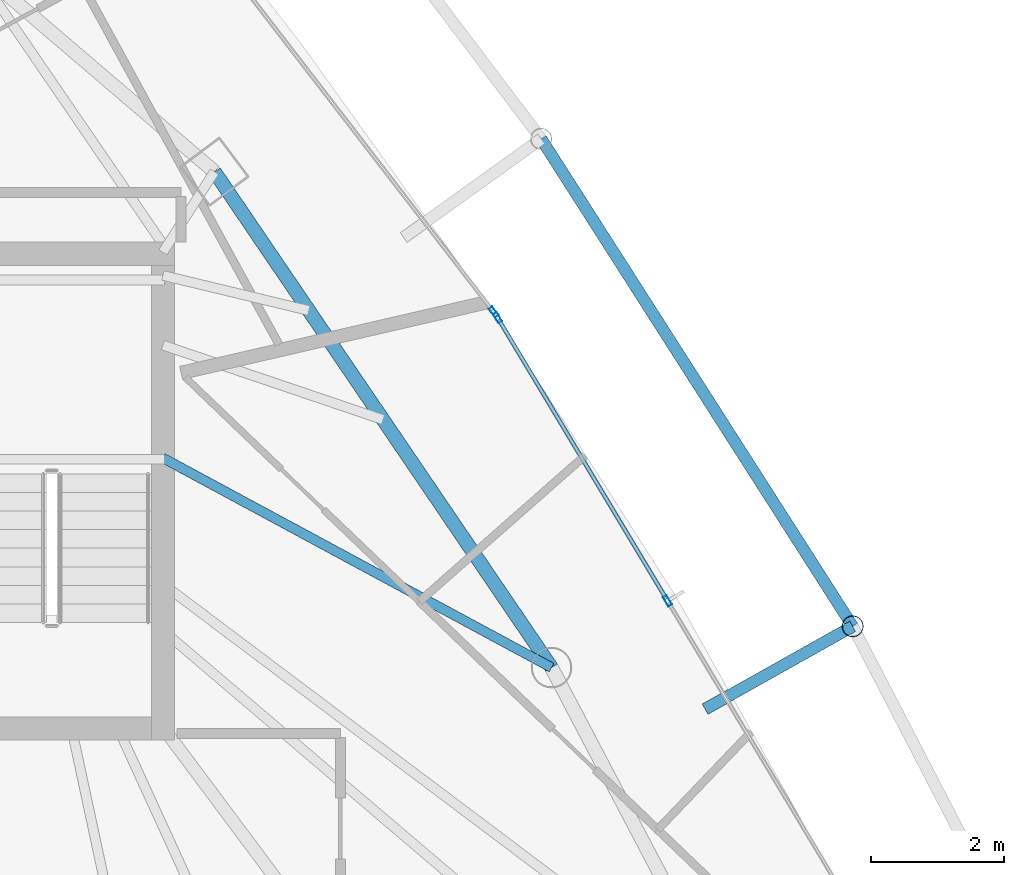
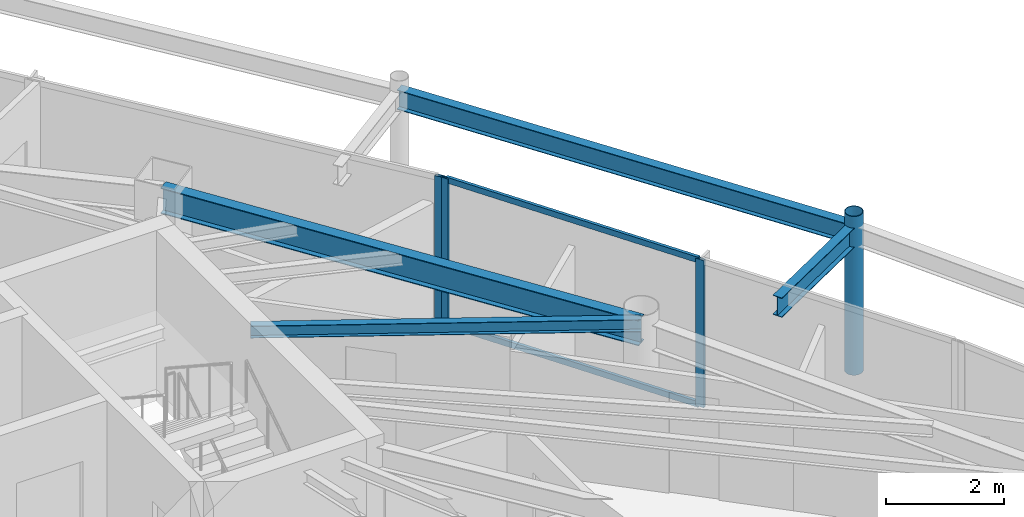
# One storey, part 20 of 32: 6 members, 4 beams, 2 elements without a shape of their own.
"""IFC4 building model written with IfcOpenShell, lengths in metres."""

from ifc_helpers import new_model, si_unit, direction, frame, origin, origin_2d, place, context, subcontext, project, spatial, hollow_rectangle, hollow_circle, i_section, extrude, material, layer, layer_set, material_profile, profile_set, type_object, element, aggregate, save


model = new_model("IFC4")

# Units and contexts
model_context = context("Model", 3, precision=1e-05, world=origin(), true_north=direction((0.0, 1.0)))
body_context = subcontext(model_context, "Body", "Model", "MODEL_VIEW")
ifc_project = project(units=[si_unit("LENGTHUNIT", "METRE"), si_unit("AREAUNIT", "SQUARE_METRE"), si_unit("VOLUMEUNIT", "CUBIC_METRE"), si_unit("PLANEANGLEUNIT", "RADIAN"), si_unit("MASSUNIT", "GRAM", prefix="KILO")], contexts=[model_context])

# Site, building, storey
site_placement = place(None, origin())
site = spatial("IfcSite", under=ifc_project, at=site_placement, CompositionType="ELEMENT")
building_placement = place(site_placement, origin())
building = spatial("IfcBuilding", under=site, at=building_placement, Name="Orvanel Arch Residences", CompositionType="ELEMENT")
storey_placement = place(building_placement, frame((0.0, 0.0, 216.199951171875)))
storey = spatial("IfcBuildingStorey", under=building, at=storey_placement, Name="L61", CompositionType="ELEMENT", Elevation=216.199951171875)

# Beam
ifc_material_1 = material(Name="Structural steel AS/NZS 3679.1 Grade 300 (300 MPa)", Category="steel")
ifc_material_profile_1 = material_profile(ifc_material_1, i_section(OverallWidth=0.14599609375, OverallDepth=0.251953125, WebThickness=0.006103515625, FlangeThickness=0.008544921875, at=origin_2d()), Name="250UB31.4")
ifc_profile_set_1 = profile_set([ifc_material_profile_1], Name="Structural steel AS/NZS 3679.1 Grade 300 (300 MPa)")
beam_type_1 = type_object("IfcBeamType", Name="BJ-250UB", PredefinedType="JOIST", material=ifc_profile_set_1)
beam_1_placement = place(storey_placement, frame((39.574951171875, 30.800048828125, 2.93408203125), z_axis=(0.880111494021, -0.474767056664, 0.0), x_axis=(0.474767056664, 0.880111494021, 0.0)))
element("IfcBeam", 1, at=beam_1_placement, inside=storey, type_object=beam_type_1, Name="L61 NE Wing Floor Joist", PredefinedType="JOIST", context=body_context, shape_type="SweptSolid", body=[
    extrude(i_section(OverallWidth=0.14599609375, OverallDepth=0.251953125, WebThickness=0.006103515625, FlangeThickness=0.008544921875, at=origin_2d()), origin(), (0.0, 0.0, 1.0), 6.653564453125),
])

# Curtain wall, members
ifc_material_2 = material(Name="Bronze-anodised aluminium AA6063-T6", Category="aluminium")
ifc_layer = layer(ifc_material_2, 0.175048828125)
ifc_layer_set = layer_set([ifc_layer], Name="Bronze-anodised aluminium AA6063-T6")
curtain_wall_type = type_object("IfcCurtainWallType", Name="CW4-HI-SYS", PredefinedType="NOTDEFINED", material=ifc_layer_set)
curtain_wall_1_placement = place(storey_placement, origin())
curtain_wall_1 = element("IfcCurtainWall", 2, at=curtain_wall_1_placement, inside=storey, type_object=curtain_wall_type, Name="L61 CW4-HI-SYS Unitised Curtain Wall", PredefinedType="NOTDEFINED")
ifc_material_profile_2 = material_profile(ifc_material_2, hollow_rectangle(XDim=0.06494140625, YDim=0.159912109375, WallThickness=0.00390625, at=origin_2d()), Name="ALU160x65x4")
ifc_profile_set_2 = profile_set([ifc_material_profile_2], Name="Bronze-anodised aluminium AA6063-T6")
member_type_1 = type_object("IfcMemberType", Name="MUL-160x65", PredefinedType="MULLION", material=ifc_profile_set_2)
member_1_placement = place(storey_placement, frame((47.178466796875, 28.64599609375, 0.0), z_axis=(0.0, 0.0, 1.0), x_axis=(-0.857536965081, -0.514422349359, 0.0)))
member_1 = element("IfcMember", 3, at=member_1_placement, type_object=member_type_1, Name="CW-S4 mullion 2", PredefinedType="MULLION", context=body_context, shape_type="SweptSolid", body=[
    extrude(hollow_rectangle(XDim=0.06494140625, YDim=0.159912109375, WallThickness=0.00390625, at=origin_2d()), origin(), (0.0, 0.0, 1.0), 3.06005859375),
])
member_2_placement = place(storey_placement, frame((44.61865234375, 32.9130859375, 0.0), z_axis=(0.0, 0.0, 1.0), x_axis=(-0.857536965081, -0.514422349359, 0.0)))
member_2 = element("IfcMember", 4, at=member_2_placement, type_object=member_type_1, Name="CW-S4 mullion 3", PredefinedType="MULLION", context=body_context, shape_type="SweptSolid", body=[
    extrude(hollow_rectangle(XDim=0.06494140625, YDim=0.159912109375, WallThickness=0.00390625, at=origin_2d()), origin(), (0.0, 0.0, 1.0), 3.06005859375),
])

# Curtain wall, member
curtain_wall_2_placement = place(storey_placement, origin())
curtain_wall_2 = element("IfcCurtainWall", 5, at=curtain_wall_2_placement, inside=storey, type_object=curtain_wall_type, Name="L61 CW4-HI-SYS Unitised Curtain Wall", PredefinedType="NOTDEFINED")
member_3_placement = place(storey_placement, frame((44.56005859375, 32.999755859375, 0.0), z_axis=(0.0, 0.0, 1.0), x_axis=(-0.791975613177, -0.610552723467, 0.0)))
member_3 = element("IfcMember", 6, at=member_3_placement, type_object=member_type_1, Name="CW-S4 mullion 1", PredefinedType="MULLION", context=body_context, shape_type="SweptSolid", body=[
    extrude(hollow_rectangle(XDim=0.06494140625, YDim=0.159912109375, WallThickness=0.00390625, at=origin_2d()), origin(), (0.0, 0.0, 1.0), 3.06005859375),
])
aggregate(curtain_wall_2, [member_3])

# Beams
ifc_material_profile_3 = material_profile(ifc_material_1, i_section(OverallWidth=0.177978515625, OverallDepth=0.406005859375, WebThickness=0.0078125, FlangeThickness=0.0126953125, at=origin_2d()), Name="410UB59.7")
ifc_profile_set_3 = profile_set([ifc_material_profile_3], Name="Structural steel AS/NZS 3679.1 Grade 300 (300 MPa)")
beam_type_2 = type_object("IfcBeamType", Name="OB-410UB-EXT", PredefinedType="SPANDREL", material=ifc_profile_set_3)
beam_2_placement = place(storey_placement, frame((47.743896484375, 27.014892578125, 2.85693359375), z_axis=(0.872081265837, 0.489361079139, 0.0), x_axis=(-0.489361079139, 0.872081265837, 0.0)))
element("IfcBeam", 7, at=beam_2_placement, inside=storey, type_object=beam_type_2, Name="L61 Outer Frame Radial Tie Beam 10", PredefinedType="SPANDREL", context=body_context, shape_type="SweptSolid", body=[
    extrude(i_section(OverallWidth=0.177978515625, OverallDepth=0.406005859375, WebThickness=0.0078125, FlangeThickness=0.0126953125, at=origin_2d()), origin(), (0.0, 0.0, 1.0), 2.55029296875),
])
beam_3_placement = place(storey_placement, frame((49.968017578125, 28.262939453125, 2.85693359375), z_axis=(-0.538480448233, 0.842638004645, 0.0), x_axis=(-0.842638004645, -0.538480448233, 0.0)))
element("IfcBeam", 8, at=beam_3_placement, inside=storey, type_object=beam_type_2, Name="L61 Outer Perimeter Floor Ring Beam 10", PredefinedType="SPANDREL", context=body_context, shape_type="SweptSolid", body=[
    extrude(i_section(OverallWidth=0.177978515625, OverallDepth=0.406005859375, WebThickness=0.0078125, FlangeThickness=0.0126953125, at=origin_2d()), origin(), (0.0, 0.0, 1.0), 8.715576171875),
])
ifc_material_profile_4 = material_profile(ifc_material_1, i_section(OverallWidth=0.208984375, OverallDepth=0.532958984375, WebThickness=0.01025390625, FlangeThickness=0.015625, at=origin_2d()), Name="530UB92.4")
ifc_profile_set_4 = profile_set([ifc_material_profile_4], Name="Structural steel AS/NZS 3679.1 Grade 300 (300 MPa)")
beam_type_3 = type_object("IfcBeamType", Name="SP-530UB", PredefinedType="SPANDREL", material=ifc_profile_set_4)
beam_4_placement = place(storey_placement, frame((45.430908203125, 27.64111328125, 2.79296875), z_axis=(-0.562154793153, 0.827032035978, 0.0), x_axis=(-0.827032035978, -0.562154793153, 0.0)))
element("IfcBeam", 9, at=beam_4_placement, inside=storey, type_object=beam_type_3, Name="L61 Perimeter Spandrel Beam 08", PredefinedType="SPANDREL", context=body_context, shape_type="SweptSolid", body=[
    extrude(i_section(OverallWidth=0.208984375, OverallDepth=0.532958984375, WebThickness=0.01025390625, FlangeThickness=0.015625, at=origin_2d()), origin(), (0.0, 0.0, 1.0), 9.03466796875),
])

# Member
ifc_material_3 = material(Name="Structural steel AS/NZS 1163 C350L0 (Grade 350)", Category="steel")
ifc_material_profile_5 = material_profile(ifc_material_3, hollow_circle(Radius=0.162109375, WallThickness=0.0126953125, at=origin_2d()), Name="CHS324x12.7")
ifc_profile_set_5 = profile_set([ifc_material_profile_5], Name="Structural steel AS/NZS 1163 C350L0 (Grade 350)")
member_type_2 = type_object("IfcMemberType", Name="ST-324CHS-EXT", PredefinedType="STRUT", material=ifc_profile_set_5)
member_4_placement = place(storey_placement, frame((49.968017578125, 28.262939453125, 0.0), z_axis=(0.0, 0.0, 1.0), x_axis=(1.0, 0.0, 0.0)))
element("IfcMember", 10, at=member_4_placement, inside=storey, type_object=member_type_2, Name="L61 Outer Perimeter Frame Post 10", PredefinedType="STRUT", context=body_context, shape_type="SweptSolid", body=[
    extrude(hollow_circle(Radius=0.162109375, WallThickness=0.0126953125, at=origin_2d()), origin(), (0.0, 0.0, 1.0), 3.300048828125),
])

ifc_material_profile_6 = material_profile(ifc_material_2, hollow_rectangle(XDim=0.06005859375, YDim=0.1201171875, WallThickness=0.00341796875, at=origin_2d()), Name="ALU120x60x3.5")
ifc_profile_set_6 = profile_set([ifc_material_profile_6], Name="Bronze-anodised aluminium AA6063-T6")
member_type_3 = type_object("IfcMemberType", Name="TRN-120x60", PredefinedType="USERDEFINED", material=ifc_profile_set_6)
member_5_placement = place(storey_placement, frame((47.161865234375, 28.673828125, 0.030029296875), z_axis=(-0.514422647267, 0.85753678637, 0.0), x_axis=(-0.85753678637, -0.514422647267, 0.0)))
member_5 = element("IfcMember", 11, at=member_5_placement, type_object=member_type_3, Name="CW-S4 transom 2.1", ObjectType="TRANSOM", PredefinedType="USERDEFINED", context=body_context, shape_type="SweptSolid", body=[
    extrude(hollow_rectangle(XDim=0.06005859375, YDim=0.1201171875, WallThickness=0.00341796875, at=origin_2d()), origin(), (0.0, 0.0, 1.0), 4.9111328125),
])

member_6_placement = place(storey_placement, frame((47.161865234375, 28.673828125, 3.030029296875), z_axis=(-0.514422647267, 0.85753678637, 0.0), x_axis=(-0.85753678637, -0.514422647267, 0.0)))
member_6 = element("IfcMember", 12, at=member_6_placement, type_object=member_type_3, Name="CW-S4 transom 2.2", ObjectType="TRANSOM", PredefinedType="USERDEFINED", context=body_context, shape_type="SweptSolid", body=[
    extrude(hollow_rectangle(XDim=0.06005859375, YDim=0.1201171875, WallThickness=0.00341796875, at=origin_2d()), origin(), (0.0, 0.0, 1.0), 4.9111328125),
])

aggregate(curtain_wall_1, [member_1, member_2, member_5, member_6])

save(model, "model.ifc")
